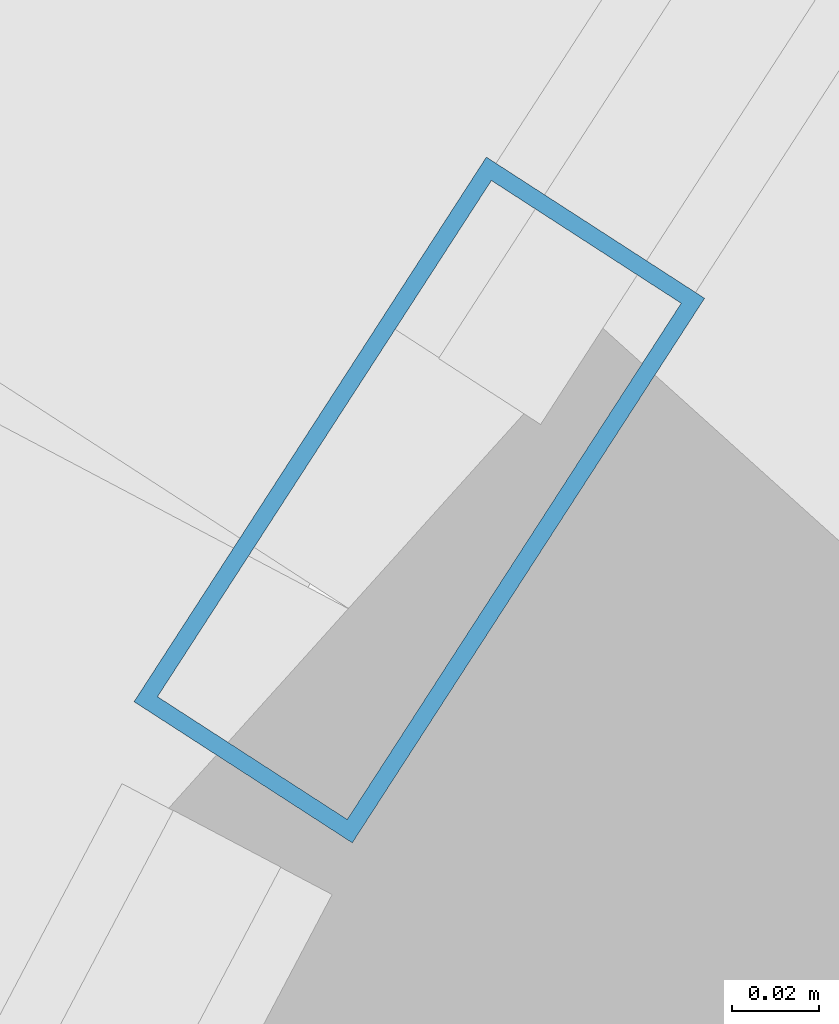
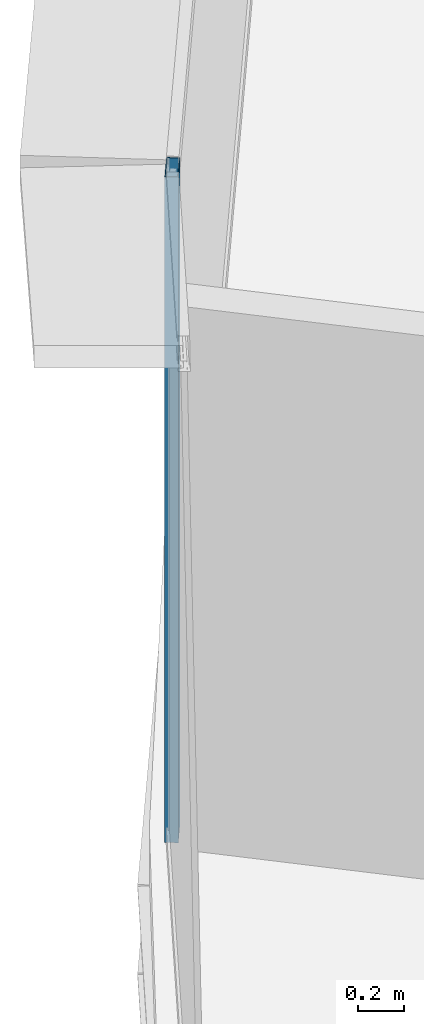
# One storey, part 16 of 40: 1 member, 1 element without a shape of its own.
"""IFC4 building model written with IfcOpenShell, lengths in metres."""

from ifc_helpers import new_model, si_unit, direction, frame, origin, origin_2d, place, context, subcontext, project, spatial, hollow_rectangle, extrude, source, transform, mapped, material, layer, layer_set, material_profile, profile_set, type_object, element, aggregate, save


model = new_model("IFC4")

# Units and contexts
model_context = context("Model", 3, precision=1e-05, world=origin(), true_north=direction((0.0, 1.0)))
body_context = subcontext(model_context, "Body", "Model", "MODEL_VIEW")
ifc_project = project(units=[si_unit("LENGTHUNIT", "METRE"), si_unit("AREAUNIT", "SQUARE_METRE"), si_unit("VOLUMEUNIT", "CUBIC_METRE"), si_unit("PLANEANGLEUNIT", "RADIAN"), si_unit("MASSUNIT", "GRAM", prefix="KILO"), si_unit("THERMODYNAMICTEMPERATUREUNIT", "KELVIN"), si_unit("POWERUNIT", "WATT")], contexts=[model_context])

# Site, building, storey
site_placement = place(None, origin())
site = spatial("IfcSite", under=ifc_project, at=site_placement, CompositionType="ELEMENT")
building_placement = place(site_placement, origin())
building = spatial("IfcBuilding", under=site, at=building_placement, Name="Yunzhuo Pagoda Commons", CompositionType="ELEMENT")
storey_placement = place(building_placement, frame((0.0, 0.0, 184.760009765625)))
storey = spatial("IfcBuildingStorey", under=building, at=storey_placement, Name="L46", CompositionType="ELEMENT", Elevation=184.760009765625)

# Curtain wall, member
ifc_material = material(Name="Anodized aluminium 6063-T6", Category="aluminium")
ifc_layer = layer(ifc_material, 0.14990234375)
ifc_layer_set = layer_set([ifc_layer], Name="Anodized aluminium 6063-T6")
curtain_wall_type = type_object("IfcCurtainWallType", Name="CW-MID Mid-Zone Ribbon Curtain Wall", PredefinedType="NOTDEFINED", material=ifc_layer_set)
curtain_wall_placement = place(storey_placement, origin())
curtain_wall = element("IfcCurtainWall", 1, at=curtain_wall_placement, inside=storey, type_object=curtain_wall_type, Name="L46 curtain wall CW-L46-F3B2", PredefinedType="NOTDEFINED")
ifc_material_profile = material_profile(ifc_material, hollow_rectangle(XDim=0.06005859375, YDim=0.14990234375, WallThickness=0.00390625, at=origin_2d()), Name="Anodized aluminium 6063-T6")
ifc_profile_set = profile_set([ifc_material_profile], Name="Anodized aluminium 6063-T6")
member_type = type_object("IfcMemberType", Name="CW-MID-M Mullion RHS 150x60x4", PredefinedType="MULLION", material=ifc_profile_set)
shared_shape = source(origin(), body_context, "Body", "SweptSolid", [
    extrude(hollow_rectangle(XDim=0.06005859375, YDim=0.14990234375, WallThickness=0.00390625, at=origin_2d()), origin(), (0.0, 0.0, 1.0), 3.5400390625),
])
member_placement = place(storey_placement, frame((23.680908203125, 55.636962890625, 0.0), z_axis=(0.0, 0.0, 1.0), x_axis=(0.839626850374, -0.543163651335, 0.0)))
member = element("IfcMember", 2, at=member_placement, type_object=member_type, Name="CW mullion 2", PredefinedType="MULLION", context=body_context, shape_type="MappedRepresentation", body=[
    mapped(shared_shape, transform((0.0, 0.0, 0.0), scale=1.0)),
])
aggregate(curtain_wall, [member])

save(model, "model.ifc")
